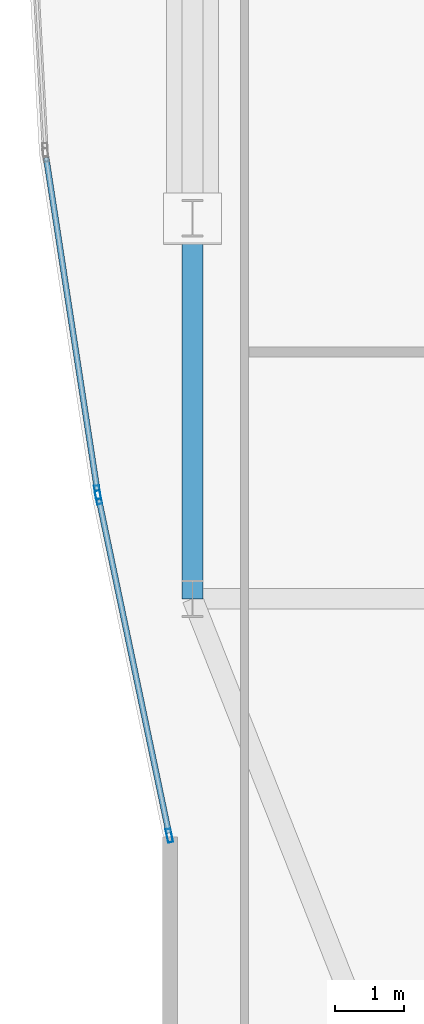
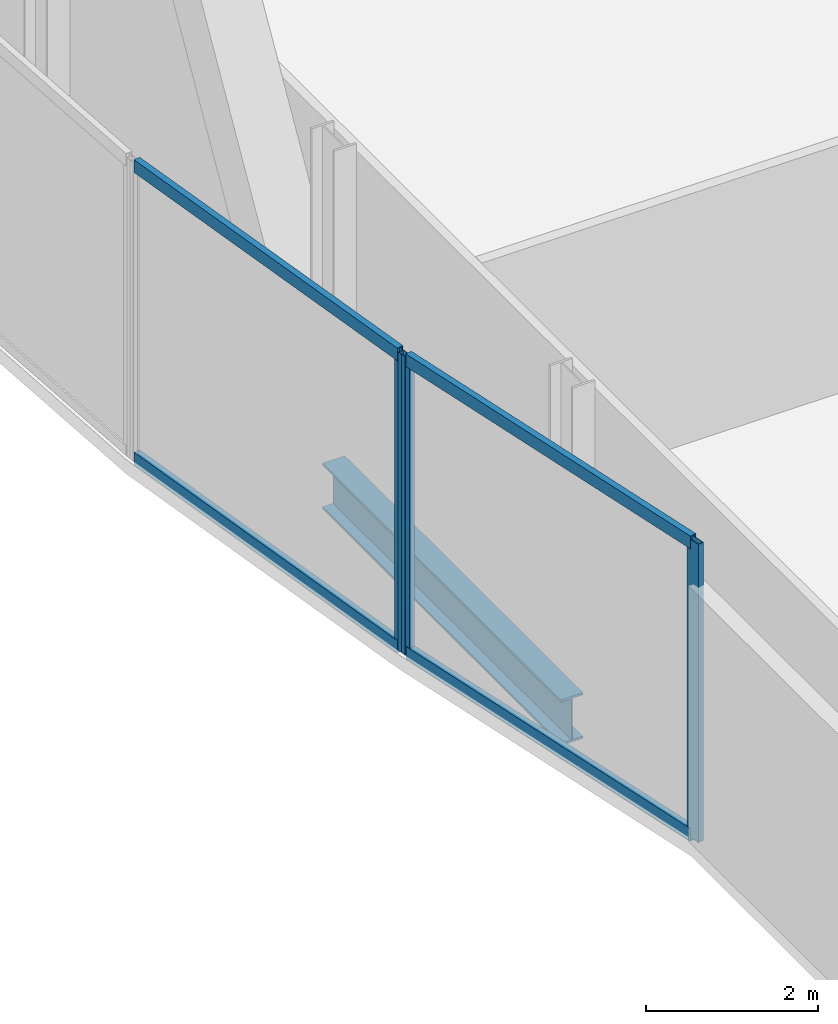
# One storey, part 6 of 32: 7 members, 1 beam, 2 elements without a shape of their own.
"""IFC4 building model written with IfcOpenShell, lengths in metres."""

from ifc_helpers import new_model, si_unit, direction, frame, origin, origin_2d, place, context, subcontext, project, spatial, hollow_rectangle, i_section, extrude, material, material_profile, profile_set, type_object, element, aggregate, save


model = new_model("IFC4")

# Units and contexts
model_context = context("Model", 3, precision=1e-05, world=origin(), true_north=direction((0.0, 1.0)))
body_context = subcontext(model_context, "Body", "Model", "MODEL_VIEW")
ifc_project = project(units=[si_unit("LENGTHUNIT", "METRE"), si_unit("AREAUNIT", "SQUARE_METRE"), si_unit("VOLUMEUNIT", "CUBIC_METRE"), si_unit("PLANEANGLEUNIT", "RADIAN"), si_unit("MASSUNIT", "GRAM", prefix="KILO")], contexts=[model_context])

# Site, building, storey
site_placement = place(None, origin())
site = spatial("IfcSite", under=ifc_project, at=site_placement, CompositionType="ELEMENT")
building_placement = place(site_placement, origin())
building = spatial("IfcBuilding", under=site, at=building_placement, Name="Khoronbel Lancet Exchange", CompositionType="ELEMENT")
storey_placement = place(building_placement, frame((0.0, 0.0, 106.60009765625)))
storey = spatial("IfcBuildingStorey", under=building, at=storey_placement, Name="L25", CompositionType="ELEMENT", Elevation=106.60009765625)

# Beam
ifc_material_1 = material(Name="Steel S355", Category="steel")
ifc_material_profile_1 = material_profile(ifc_material_1, i_section(OverallWidth=0.300048828125, OverallDepth=0.64990234375, WebThickness=0.01611328125, FlangeThickness=0.031005859375, at=origin_2d()), Name="HEB 650")
ifc_profile_set_1 = profile_set([ifc_material_profile_1], Name="Steel S355")
beam_type = type_object("IfcBeamType", Name="BM-BSP1", PredefinedType="SPANDREL", material=ifc_profile_set_1)
beam_placement = place(storey_placement, frame((3.27001953125, 24.75, -0.525146484375), z_axis=(0.0, -1.0, 0.0), x_axis=(1.0, 0.0, 0.0)))
element("IfcBeam", 1, at=beam_placement, inside=storey, type_object=beam_type, Name="Level L25 perimeter spandrel beam SP20", PredefinedType="SPANDREL", context=body_context, shape_type="SweptSolid", body=[
    extrude(i_section(OverallWidth=0.300048828125, OverallDepth=0.64990234375, WebThickness=0.01611328125, FlangeThickness=0.031005859375, at=origin_2d()), origin(), (0.0, 0.0, 1.0), 5.550048828125),
])

# Curtain wall, members
ifc_material_2 = material(Name="Low-E Solar Control Insulating Glass", Category="glass")
curtain_wall_type = type_object("IfcCurtainWallType", Name="CW-4", PredefinedType="NOTDEFINED", material=ifc_material_2)
curtain_wall_1_placement = place(storey_placement, origin())
curtain_wall_1 = element("IfcCurtainWall", 2, at=curtain_wall_1_placement, inside=storey, type_object=curtain_wall_type, Name="Unitised curtain wall CW-L25-E04", PredefinedType="NOTDEFINED")
ifc_material_3 = material(Name="Bronze-Anodised Aluminium 6063-T6", Category="aluminium")
ifc_material_profile_2 = material_profile(ifc_material_3, hollow_rectangle(XDim=0.074951171875, YDim=0.199951171875, WallThickness=0.0048828125, at=origin_2d()), Name="ALU MULLION 75x200")
ifc_profile_set_2 = profile_set([ifc_material_profile_2], Name="Bronze-Anodised Aluminium 6063-T6")
member_type_1 = type_object("IfcMemberType", Name="MEM-CWM2", PredefinedType="MULLION", material=ifc_profile_set_2)
member_1_placement = place(storey_placement, frame((2.932373046875, 15.74609375, 0.0), z_axis=(0.0, 0.0, 1.0), x_axis=(-0.97872923306, -0.205156253509, 0.0)))
member_1 = element("IfcMember", 3, at=member_1_placement, type_object=member_type_1, Name="CW4 mullion 1", PredefinedType="MULLION", context=body_context, shape_type="SweptSolid", body=[
    extrude(hollow_rectangle(XDim=0.074951171875, YDim=0.199951171875, WallThickness=0.0048828125, at=origin_2d()), origin(), (0.0, 0.0, 1.0), 4.239990234375),
])
member_2_placement = place(storey_placement, frame((1.898193359375, 20.679443359375, 0.0), z_axis=(0.0, 0.0, 1.0), x_axis=(-0.97872923306, -0.205156253509, 0.0)))
member_2 = element("IfcMember", 4, at=member_2_placement, type_object=member_type_1, Name="CW4 mullion 2", PredefinedType="MULLION", context=body_context, shape_type="SweptSolid", body=[
    extrude(hollow_rectangle(XDim=0.074951171875, YDim=0.199951171875, WallThickness=0.0048828125, at=origin_2d()), origin(), (0.0, 0.0, 1.0), 4.239990234375),
])

# Curtain wall, member
curtain_wall_2_placement = place(storey_placement, origin())
curtain_wall_2 = element("IfcCurtainWall", 5, at=curtain_wall_2_placement, inside=storey, type_object=curtain_wall_type, Name="Unitised curtain wall CW-L25-E05", PredefinedType="NOTDEFINED")
member_3_placement = place(storey_placement, frame((1.884765625, 20.753173828125, 0.0), z_axis=(0.0, 0.0, 1.0), x_axis=(-0.988428154064, -0.151689763181, 0.0)))
member_3 = element("IfcMember", 6, at=member_3_placement, type_object=member_type_1, Name="CW4 mullion 1", PredefinedType="MULLION", context=body_context, shape_type="SweptSolid", body=[
    extrude(hollow_rectangle(XDim=0.074951171875, YDim=0.199951171875, WallThickness=0.0048828125, at=origin_2d()), origin(), (0.0, 0.0, 1.0), 4.239990234375),
])

# Member
ifc_material_profile_3 = material_profile(ifc_material_3, hollow_rectangle(XDim=0.0849609375, YDim=0.179931640625, WallThickness=0.0048828125, at=origin_2d()), Name="ALU TRANSOM 85x180")
ifc_profile_set_3 = profile_set([ifc_material_profile_3], Name="Bronze-Anodised Aluminium 6063-T6")
member_type_2 = type_object("IfcMemberType", Name="MEM-CWT1", PredefinedType="USERDEFINED", material=ifc_profile_set_3)
member_4_placement = place(storey_placement, frame((2.924560546875, 15.78271484375, 0.04248046875), z_axis=(-0.205128245357, 0.978735103568, 0.0), x_axis=(-0.978735103568, -0.205128245357, 0.0)))
member_4 = element("IfcMember", 7, at=member_4_placement, type_object=member_type_2, Name="CW4 transom 1.1", ObjectType="TRANSOM", PredefinedType="USERDEFINED", context=body_context, shape_type="SweptSolid", body=[
    extrude(hollow_rectangle(XDim=0.0849609375, YDim=0.179931640625, WallThickness=0.0048828125, at=origin_2d()), origin(), (0.0, 0.0, 1.0), 4.96533203125),
])

member_5_placement = place(storey_placement, frame((2.924560546875, 15.78271484375, 4.197509765625), z_axis=(-0.205128245357, 0.978735103568, 0.0), x_axis=(-0.978735103568, -0.205128245357, 0.0)))
member_5 = element("IfcMember", 8, at=member_5_placement, type_object=member_type_2, Name="CW4 transom 1.2", ObjectType="TRANSOM", PredefinedType="USERDEFINED", context=body_context, shape_type="SweptSolid", body=[
    extrude(hollow_rectangle(XDim=0.0849609375, YDim=0.179931640625, WallThickness=0.0048828125, at=origin_2d()), origin(), (0.0, 0.0, 1.0), 4.96533203125),
])

aggregate(curtain_wall_1, [member_1, member_2, member_4, member_5])

member_6_placement = place(storey_placement, frame((1.879150390625, 20.790283203125, 0.04248046875), z_axis=(-0.151712842916, 0.988424611842, 0.0), x_axis=(-0.988424611842, -0.151712842916, 0.0)))
member_6 = element("IfcMember", 9, at=member_6_placement, type_object=member_type_2, Name="CW4 transom 1.1", ObjectType="TRANSOM", PredefinedType="USERDEFINED", context=body_context, shape_type="SweptSolid", body=[
    extrude(hollow_rectangle(XDim=0.0849609375, YDim=0.179931640625, WallThickness=0.0048828125, at=origin_2d()), origin(), (0.0, 0.0, 1.0), 4.901611328125),
])

member_7_placement = place(storey_placement, frame((1.879150390625, 20.790283203125, 4.197509765625), z_axis=(-0.151712842916, 0.988424611842, 0.0), x_axis=(-0.988424611842, -0.151712842916, 0.0)))
member_7 = element("IfcMember", 10, at=member_7_placement, type_object=member_type_2, Name="CW4 transom 1.2", ObjectType="TRANSOM", PredefinedType="USERDEFINED", context=body_context, shape_type="SweptSolid", body=[
    extrude(hollow_rectangle(XDim=0.0849609375, YDim=0.179931640625, WallThickness=0.0048828125, at=origin_2d()), origin(), (0.0, 0.0, 1.0), 4.901611328125),
])

aggregate(curtain_wall_2, [member_3, member_6, member_7])

save(model, "model.ifc")
